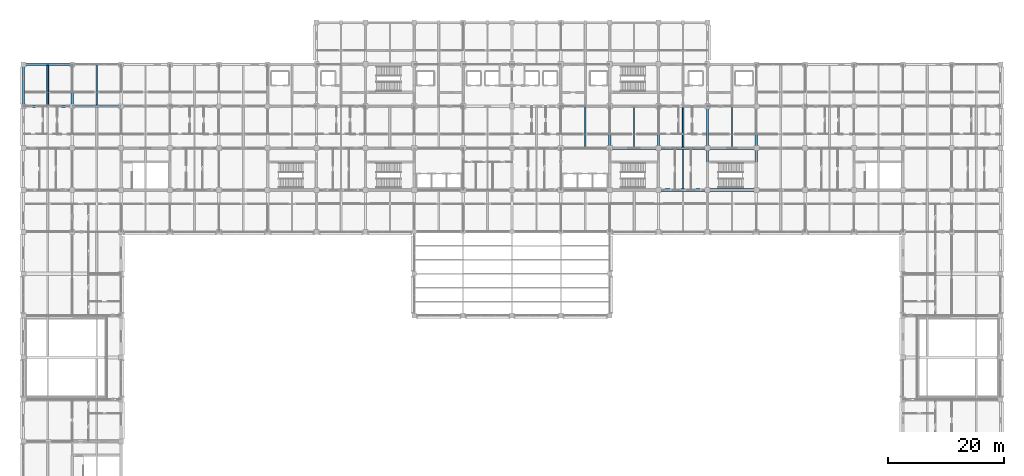
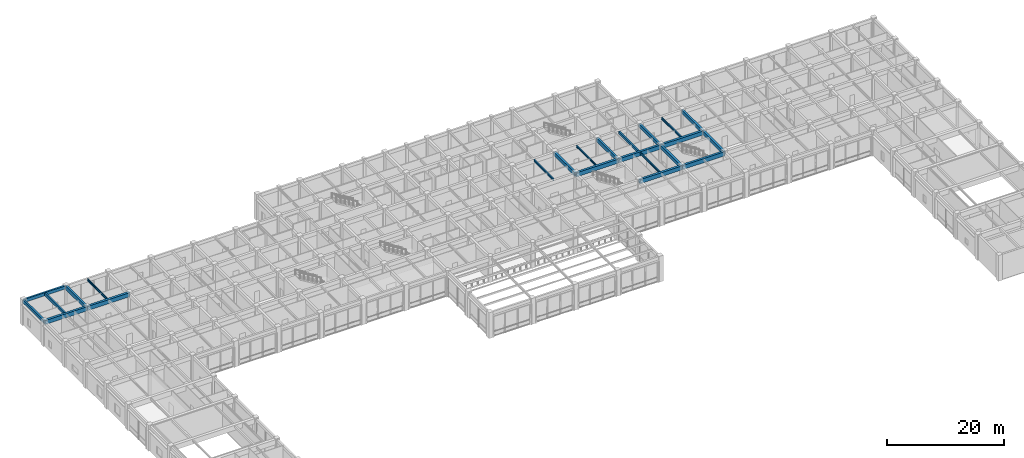
# One storey, part 14 of 58: 23 beams.
"""IFC4 building model written with IfcOpenShell, lengths in metres."""

from ifc_helpers import new_model, si_unit, direction, frame, origin, origin_2d, place, context, subcontext, project, spatial, rectangle, i_section, extrude, material, material_profile, profile_set, type_object, element, save


model = new_model("IFC4")

# Units and contexts
model_context = context("Model", 3, precision=1e-05, world=origin(), true_north=direction((0.0, 1.0)))
body_context = subcontext(model_context, "Body", "Model", "MODEL_VIEW")
ifc_project = project(units=[si_unit("LENGTHUNIT", "METRE"), si_unit("AREAUNIT", "SQUARE_METRE"), si_unit("VOLUMEUNIT", "CUBIC_METRE"), si_unit("PLANEANGLEUNIT", "RADIAN"), si_unit("MASSUNIT", "GRAM", prefix="KILO")], contexts=[model_context])

# Site, building, storey
site_placement = place(None, origin())
site = spatial("IfcSite", under=ifc_project, at=site_placement, CompositionType="ELEMENT")
building_placement = place(site_placement, origin())
building = spatial("IfcBuilding", under=site, at=building_placement, Name="Chengyuan Square Courthouse", CompositionType="ELEMENT")
storey_placement = place(building_placement, frame((0.0, 0.0, 16.199951171875)))
storey = spatial("IfcBuildingStorey", under=building, at=storey_placement, Name="L04", CompositionType="ELEMENT", Elevation=16.199951171875)

# Beams
ifc_material_1 = material(Name="Concrete C40", Category="concrete")
ifc_material_profile_1 = material_profile(ifc_material_1, rectangle(XDim=0.449951171875, YDim=0.85009765625, at=origin_2d()), Name="RC-BM-450x850")
ifc_profile_set_1 = profile_set([ifc_material_profile_1], Name="Concrete C40")
beam_type_1 = type_object("IfcBeamType", Name="BM-01", PredefinedType="USERDEFINED", material=ifc_profile_set_1)
beam_1_placement = place(storey_placement, frame((109.199951171875, 86.39990234375, 4.695068359375), z_axis=(1.0, 0.0, 0.0), x_axis=(0.0, 1.0, 0.0)))
element("IfcBeam", 1, at=beam_1_placement, inside=storey, type_object=beam_type_1, Name="Girder BM-L04-2894", ObjectType="GIRDER", PredefinedType="USERDEFINED", context=body_context, shape_type="SweptSolid", body=[
    extrude(rectangle(XDim=0.449951171875, YDim=0.85009765625, at=origin_2d()), origin(), (0.0, 0.0, 1.0), 8.400146484375),
])
for number, where, z_axis, x_axis, name in (
    (2, (117.60009765625, 86.39990234375, 4.695068359375), (1.0, 0.0, 0.0), (0.0, 1.0, 0.0), "Girder BM-L04-2895"),
    (3, (100.800048828125, 93.60009765625, 4.695068359375), (1.0, 0.0, 0.0), (0.0, 1.0, 0.0), "Girder BM-L04-2913"),
):
    element("IfcBeam", number, at=place(storey_placement, frame(where, z_axis=z_axis, x_axis=x_axis)), inside=storey, type_object=beam_type_1, Name=name, ObjectType="GIRDER", PredefinedType="USERDEFINED", context=body_context, shape_type="SweptSolid", body=[
        extrude(rectangle(XDim=0.449951171875, YDim=0.85009765625, at=origin_2d()), origin(), (0.0, 0.0, 1.0), 8.39990234375),
    ])
beam_2_placement = place(storey_placement, frame((109.199951171875, 93.60009765625, 4.695068359375), z_axis=(1.0, 0.0, 0.0), x_axis=(0.0, 1.0, 0.0)))
element("IfcBeam", 4, at=beam_2_placement, inside=storey, type_object=beam_type_1, Name="Girder BM-L04-2914", ObjectType="GIRDER", PredefinedType="USERDEFINED", context=body_context, shape_type="SweptSolid", body=[
    extrude(rectangle(XDim=0.449951171875, YDim=0.85009765625, at=origin_2d()), origin(), (0.0, 0.0, 1.0), 8.400146484375),
])
for number, where, z_axis, x_axis, name in (
    (5, (117.60009765625, 93.60009765625, 4.695068359375), (1.0, 0.0, 0.0), (0.0, 1.0, 0.0), "Girder BM-L04-2915"),
    (6, (0.0, 100.800048828125, 4.775146484375), (1.0, 0.0, 0.0), (0.0, 1.0, 0.0), "Girder BM-L04-2921"),
):
    element("IfcBeam", number, at=place(storey_placement, frame(where, z_axis=z_axis, x_axis=x_axis)), inside=storey, type_object=beam_type_1, Name=name, ObjectType="GIRDER", PredefinedType="USERDEFINED", context=body_context, shape_type="SweptSolid", body=[
        extrude(rectangle(XDim=0.449951171875, YDim=0.85009765625, at=origin_2d()), origin(), (0.0, 0.0, 1.0), 8.39990234375),
    ])
beam_3_placement = place(storey_placement, frame((8.39990234375, 100.800048828125, 4.775146484375), z_axis=(1.0, 0.0, 0.0), x_axis=(0.0, 1.0, 0.0)))
element("IfcBeam", 7, at=beam_3_placement, inside=storey, type_object=beam_type_1, Name="Girder BM-L04-2922", ObjectType="GIRDER", PredefinedType="USERDEFINED", context=body_context, shape_type="SweptSolid", body=[
    extrude(rectangle(XDim=0.449951171875, YDim=0.85009765625, at=origin_2d()), origin(), (0.0, 0.0, 1.0), 8.400146484375),
])
ifc_material_profile_2 = material_profile(ifc_material_1, rectangle(XDim=0.39990234375, YDim=0.75, at=origin_2d()), Name="RC-BM-400x750")
ifc_profile_set_2 = profile_set([ifc_material_profile_2], Name="Concrete C40")
beam_type_2 = type_object("IfcBeamType", Name="BM-02", PredefinedType="USERDEFINED", material=ifc_profile_set_2)
for number, where, z_axis, x_axis, name in (
    (8, (8.39990234375, 100.800048828125, 4.824951171875), (0.0, 1.0, 0.0), (-1.0, 0.0, 0.0), "Girder BM-L04-2982"),
    (9, (100.800048828125, 93.60009765625, 4.7451171875), (0.0, 1.0, 0.0), (-1.0, 0.0, 0.0), "Girder BM-L04-3044"),
    (10, (109.199951171875, 93.60009765625, 4.7451171875), (0.0, 1.0, 0.0), (-1.0, 0.0, 0.0), "Girder BM-L04-3049"),
):
    element("IfcBeam", number, at=place(storey_placement, frame(where, z_axis=z_axis, x_axis=x_axis)), inside=storey, type_object=beam_type_2, Name=name, ObjectType="GIRDER", PredefinedType="USERDEFINED", context=body_context, shape_type="SweptSolid", body=[
        extrude(rectangle(XDim=0.39990234375, YDim=0.75, at=origin_2d()), origin(), (0.0, 0.0, 1.0), 7.199951171875),
    ])
beam_4_placement = place(storey_placement, frame((117.60009765625, 86.39990234375, 4.7451171875), z_axis=(0.0, 1.0, 0.0), x_axis=(-1.0, 0.0, 0.0)))
element("IfcBeam", 11, at=beam_4_placement, inside=storey, type_object=beam_type_2, Name="Girder BM-L04-3053", ObjectType="GIRDER", PredefinedType="USERDEFINED", context=body_context, shape_type="SweptSolid", body=[
    extrude(rectangle(XDim=0.39990234375, YDim=0.75, at=origin_2d()), origin(), (0.0, 0.0, 1.0), 7.2001953125),
])
beam_5_placement = place(storey_placement, frame((117.60009765625, 93.60009765625, 4.7451171875), z_axis=(0.0, 1.0, 0.0), x_axis=(-1.0, 0.0, 0.0)))
element("IfcBeam", 12, at=beam_5_placement, inside=storey, type_object=beam_type_2, Name="Girder BM-L04-3054", ObjectType="GIRDER", PredefinedType="USERDEFINED", context=body_context, shape_type="SweptSolid", body=[
    extrude(rectangle(XDim=0.39990234375, YDim=0.75, at=origin_2d()), origin(), (0.0, 0.0, 1.0), 7.199951171875),
])
beam_6_placement = place(storey_placement, frame((126.0, 86.39990234375, 4.7451171875), z_axis=(0.0, 1.0, 0.0), x_axis=(-1.0, 0.0, 0.0)))
element("IfcBeam", 13, at=beam_6_placement, inside=storey, type_object=beam_type_2, Name="Girder BM-L04-3058", ObjectType="GIRDER", PredefinedType="USERDEFINED", context=body_context, shape_type="SweptSolid", body=[
    extrude(rectangle(XDim=0.39990234375, YDim=0.75, at=origin_2d()), origin(), (0.0, 0.0, 1.0), 7.2001953125),
])
beam_7_placement = place(storey_placement, frame((126.0, 93.60009765625, 4.7451171875), z_axis=(0.0, 1.0, 0.0), x_axis=(-1.0, 0.0, 0.0)))
element("IfcBeam", 14, at=beam_7_placement, inside=storey, type_object=beam_type_2, Name="Girder BM-L04-3059", ObjectType="GIRDER", PredefinedType="USERDEFINED", context=body_context, shape_type="SweptSolid", body=[
    extrude(rectangle(XDim=0.39990234375, YDim=0.75, at=origin_2d()), origin(), (0.0, 0.0, 1.0), 7.199951171875),
])
ifc_material_profile_3 = material_profile(ifc_material_1, rectangle(XDim=0.35009765625, YDim=0.64990234375, at=origin_2d()), Name="RC-BM-350x650")
ifc_profile_set_3 = profile_set([ifc_material_profile_3], Name="Concrete C40")
beam_type_3 = type_object("IfcBeamType", Name="BM-03", PredefinedType="SPANDREL", material=ifc_profile_set_3)
beam_8_placement = place(storey_placement, frame((0.0, 108.0, 4.875), z_axis=(1.0, 0.0, 0.0), x_axis=(0.0, 1.0, 0.0)))
element("IfcBeam", 15, at=beam_8_placement, inside=storey, type_object=beam_type_3, Name="Girder BM-L04-2941", PredefinedType="SPANDREL", context=body_context, shape_type="SweptSolid", body=[
    extrude(rectangle(XDim=0.35009765625, YDim=0.64990234375, at=origin_2d()), origin(), (0.0, 0.0, 1.0), 8.39990234375),
])
beam_9_placement = place(storey_placement, frame((0.0, 100.800048828125, 4.875), z_axis=(0.0, 1.0, 0.0), x_axis=(-1.0, 0.0, 0.0)))
element("IfcBeam", 16, at=beam_9_placement, inside=storey, type_object=beam_type_3, Name="Girder BM-L04-2978", PredefinedType="SPANDREL", context=body_context, shape_type="SweptSolid", body=[
    extrude(rectangle(XDim=0.35009765625, YDim=0.64990234375, at=origin_2d()), origin(), (0.0, 0.0, 1.0), 7.199951171875),
])
ifc_material_profile_4 = material_profile(ifc_material_1, rectangle(XDim=0.300048828125, YDim=0.550048828125, at=origin_2d()), Name="RC-BM-300x550")
ifc_profile_set_4 = profile_set([ifc_material_profile_4], Name="Concrete C40")
beam_type_4 = type_object("IfcBeamType", Name="BM-04", PredefinedType="BEAM", material=ifc_profile_set_4)
beam_10_placement = place(storey_placement, frame((4.199951171875, 101.02490234375, 4.925048828125), z_axis=(0.0, 1.0, 0.0), x_axis=(-1.0, 0.0, 0.0)))
element("IfcBeam", 17, at=beam_10_placement, inside=storey, type_object=beam_type_4, Name="Secondary Floor Beam SBM-L04-3102", PredefinedType="BEAM", context=body_context, shape_type="SweptSolid", body=[
    extrude(rectangle(XDim=0.300048828125, YDim=0.550048828125, at=origin_2d()), origin(), (0.0, 0.0, 1.0), 6.800048828125),
])
beam_11_placement = place(storey_placement, frame((113.39990234375, 93.824951171875, 4.844970703125), z_axis=(0.0, 1.0, 0.0), x_axis=(-1.0, 0.0, 0.0)))
element("IfcBeam", 18, at=beam_11_placement, inside=storey, type_object=beam_type_4, Name="Secondary Floor Beam SBM-L04-3157", PredefinedType="BEAM", context=body_context, shape_type="SweptSolid", body=[
    extrude(rectangle(XDim=0.300048828125, YDim=0.550048828125, at=origin_2d()), origin(), (0.0, 0.0, 1.0), 6.75),
])
ifc_material_2 = material(Name="Steel Q355B", Category="steel")
ifc_material_profile_5 = material_profile(ifc_material_2, i_section(OverallWidth=0.199951171875, OverallDepth=0.449951171875, WebThickness=0.009033203125, FlangeThickness=0.013916015625, at=origin_2d()), Name="HN 450x200x9x14")
ifc_profile_set_5 = profile_set([ifc_material_profile_5], Name="Steel Q355B")
beam_type_5 = type_object("IfcBeamType", Name="BM-06", PredefinedType="BEAM", material=ifc_profile_set_5)
beam_12_placement = place(storey_placement, frame((12.60009765625, 101.02490234375, 4.97509765625), z_axis=(0.0, 1.0, 0.0), x_axis=(-1.0, 0.0, 0.0)))
element("IfcBeam", 19, at=beam_12_placement, inside=storey, type_object=beam_type_5, Name="Secondary Floor Beam SBM-L04-3112", PredefinedType="BEAM", context=body_context, shape_type="SweptSolid", body=[
    extrude(i_section(OverallWidth=0.199951171875, OverallDepth=0.449951171875, WebThickness=0.009033203125, FlangeThickness=0.013916015625, at=origin_2d()), origin(), (0.0, 0.0, 1.0), 6.800048828125),
])
for number, where, z_axis, x_axis, name in (
    (20, (96.60009765625, 93.824951171875, 4.89501953125), (0.0, 1.0, 0.0), (-1.0, 0.0, 0.0), "Secondary Floor Beam SBM-L04-3149"),
    (21, (121.800048828125, 93.824951171875, 4.89501953125), (0.0, 1.0, 0.0), (-1.0, 0.0, 0.0), "Secondary Floor Beam SBM-L04-3161"),
):
    element("IfcBeam", number, at=place(storey_placement, frame(where, z_axis=z_axis, x_axis=x_axis)), inside=storey, type_object=beam_type_5, Name=name, PredefinedType="BEAM", context=body_context, shape_type="SweptSolid", body=[
        extrude(i_section(OverallWidth=0.199951171875, OverallDepth=0.449951171875, WebThickness=0.009033203125, FlangeThickness=0.013916015625, at=origin_2d()), origin(), (0.0, 0.0, 1.0), 6.75),
    ])
ifc_material_profile_6 = material_profile(ifc_material_2, i_section(OverallWidth=0.199951171875, OverallDepth=0.39990234375, WebThickness=0.008056640625, FlangeThickness=0.012939453125, at=origin_2d()), Name="HN 400x200x8x13")
ifc_profile_set_6 = profile_set([ifc_material_profile_6], Name="Steel Q355B")
beam_type_6 = type_object("IfcBeamType", Name="BM-07", PredefinedType="BEAM", material=ifc_profile_set_6)
for number, where, z_axis, x_axis, name in (
    (22, (105.0, 93.824951171875, 4.920166015625), (0.0, 1.0, 0.0), (-1.0, 0.0, 0.0), "Secondary Floor Beam SBM-L04-3153"),
    (23, (113.39990234375, 86.625, 4.920166015625), (0.0, 1.0, 0.0), (-1.0, 0.0, 0.0), "Secondary Floor Beam SBM-L04-3156"),
):
    element("IfcBeam", number, at=place(storey_placement, frame(where, z_axis=z_axis, x_axis=x_axis)), inside=storey, type_object=beam_type_6, Name=name, PredefinedType="BEAM", context=body_context, shape_type="SweptSolid", body=[
        extrude(i_section(OverallWidth=0.199951171875, OverallDepth=0.39990234375, WebThickness=0.008056640625, FlangeThickness=0.012939453125, at=origin_2d()), origin(), (0.0, 0.0, 1.0), 6.75),
    ])

save(model, "model.ifc")
